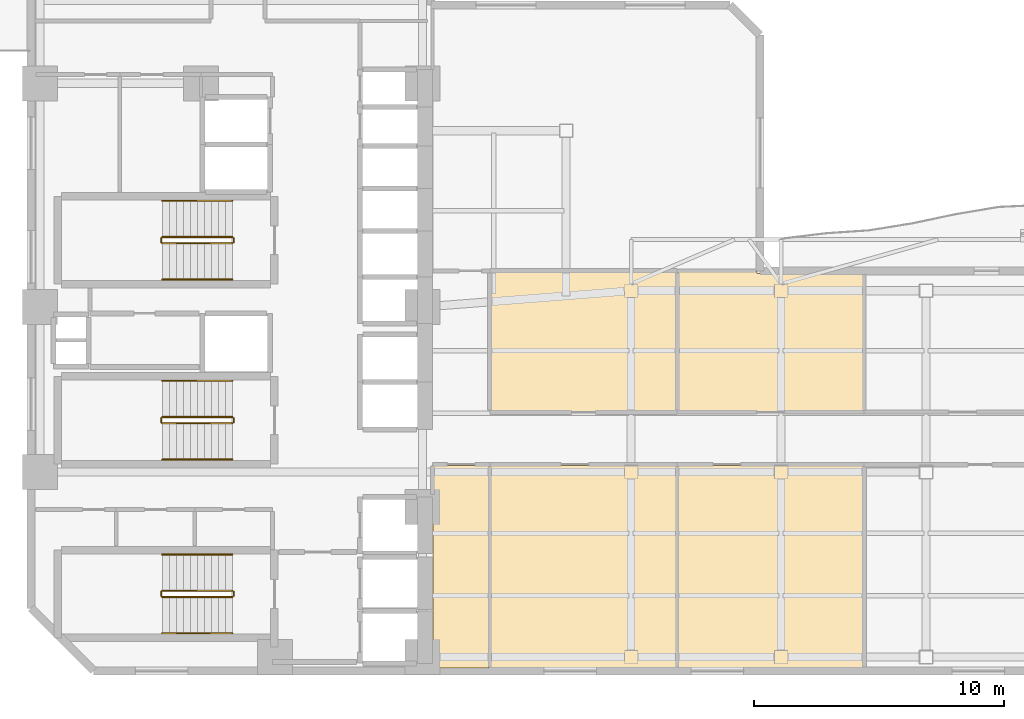
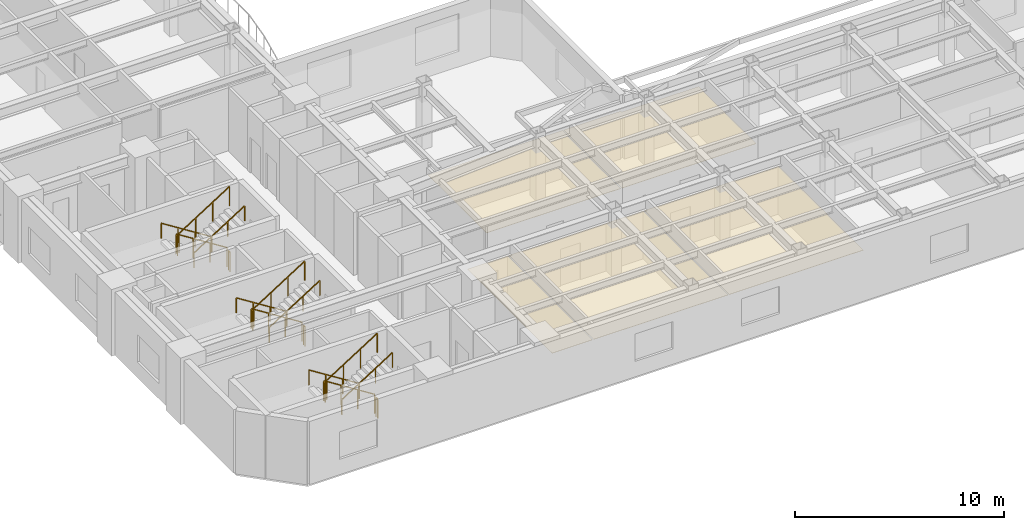
# One storey, part 8 of 10: 18 railings, 5 coverings.
"""IFC4 building model written with IfcOpenShell, lengths in metres."""

from ifc_helpers import new_model, si_unit, direction, frame, origin, origin_2d, place, context, subcontext, project, spatial, polyline, rectangle, outline, extrude, material, layer, layer_set, type_object, element, save


model = new_model("IFC4")

# Units and contexts
model_context = context("Model", 3, precision=1e-05, world=origin(), true_north=direction((0.0, 1.0)))
body_context = subcontext(model_context, "Body", "Model", "MODEL_VIEW")
ifc_project = project(units=[si_unit("LENGTHUNIT", "METRE"), si_unit("AREAUNIT", "SQUARE_METRE"), si_unit("VOLUMEUNIT", "CUBIC_METRE"), si_unit("PLANEANGLEUNIT", "RADIAN"), si_unit("MASSUNIT", "GRAM", prefix="KILO")], contexts=[model_context])

# Site, building, storey
site_placement = place(None, origin())
site = spatial("IfcSite", under=ifc_project, at=site_placement, CompositionType="ELEMENT")
building_placement = place(site_placement, origin())
building = spatial("IfcBuilding", under=site, at=building_placement, Name="Mawjaban Terraces University", CompositionType="ELEMENT")
storey_placement = place(building_placement, frame((0.0, 0.0, 66.10009765625)))
storey = spatial("IfcBuildingStorey", under=building, at=storey_placement, Name="L15", CompositionType="ELEMENT", Elevation=66.10009765625)

# Coverings
ifc_material_1 = material(Name="Acoustic mineral fibre ceiling tile", Category="masonry")
ifc_layer = layer(ifc_material_1, 0.02001953125)
ifc_layer_set = layer_set([ifc_layer], Name="Acoustic mineral fibre ceiling tile")
covering_type = type_object("IfcCoveringType", Name="AcousticMineralCeiling_20", PredefinedType="CEILING", material=ifc_layer_set)
covering_1_placement = place(storey_placement, frame((0.0, 0.0, 2.75)))
element("IfcCovering", 1, at=covering_1_placement, inside=storey, type_object=covering_type, Name="L15 Computational Laboratory 1 Acoustic Ceiling", PredefinedType="CEILING", context=body_context, shape_type="SweptSolid", body=[
    extrude(outline(polyline([(38.080078125, 0.114990234375), (40.320068359375, 0.114990234375), (40.320068359375, 8.219970703125), (38.080078125, 8.219970703125), (38.080078125, 0.114990234375)])), origin(), (0.0, 0.0, 1.0), 0.02001953125),
])
covering_2_placement = place(storey_placement, frame((0.0, 0.0, 2.75)))
element("IfcCovering", 2, at=covering_2_placement, inside=storey, type_object=covering_type, Name="L15 Teaching Laboratory 2 Acoustic Ceiling", PredefinedType="CEILING", context=body_context, shape_type="SweptSolid", body=[
    extrude(outline(polyline([(40.3798828125, 0.114990234375), (47.806884765625, 0.114990234375), (47.806884765625, 8.219970703125), (40.3798828125, 8.219970703125), (40.3798828125, 0.114990234375)])), origin(), (0.0, 0.0, 1.0), 0.02001953125),
])
covering_3_placement = place(storey_placement, frame((0.0, 0.0, 2.75)))
element("IfcCovering", 3, at=covering_3_placement, inside=storey, type_object=covering_type, Name="L15 Design Studio 3 Acoustic Ceiling", PredefinedType="CEILING", context=body_context, shape_type="SweptSolid", body=[
    extrude(outline(polyline([(47.806884765625, 10.3798828125), (47.806884765625, 15.969970703125), (40.3798828125, 15.969970703125), (40.3798828125, 10.3798828125), (47.806884765625, 10.3798828125)])), origin(), (0.0, 0.0, 1.0), 0.02001953125),
])
covering_4_placement = place(storey_placement, frame((0.0, 0.0, 2.75)))
element("IfcCovering", 4, at=covering_4_placement, inside=storey, type_object=covering_type, Name="L15 Computational Laboratory 4 Acoustic Ceiling", PredefinedType="CEILING", context=body_context, shape_type="SweptSolid", body=[
    extrude(outline(polyline([(47.866943359375, 0.114990234375), (55.29296875, 0.114990234375), (55.29296875, 8.219970703125), (47.866943359375, 8.219970703125), (47.866943359375, 0.114990234375)])), origin(), (0.0, 0.0, 1.0), 0.02001953125),
])
covering_5_placement = place(storey_placement, frame((0.0, 0.0, 2.75)))
element("IfcCovering", 5, at=covering_5_placement, inside=storey, type_object=covering_type, Name="L15 Teaching Laboratory 5 Acoustic Ceiling", PredefinedType="CEILING", context=body_context, shape_type="SweptSolid", body=[
    extrude(outline(polyline([(55.29296875, 15.885009765625), (51.034912109375, 15.885009765625), (51.034912109375, 15.969970703125), (47.866943359375, 15.969970703125), (47.866943359375, 10.3798828125), (55.29296875, 10.3798828125), (55.29296875, 15.885009765625)])), origin(), (0.0, 0.0, 1.0), 0.02001953125),
])

# Railings
ifc_material_2 = material(Name="Brushed stainless steel 316", Category="steel")
railing_type_1 = type_object("IfcRailingType", Name="StairWallHandrail_900", PredefinedType="HANDRAIL", material=ifc_material_2)
railing_1_placement = place(storey_placement, frame((30.050048828125, 4.64990234375, 0.17724609375)))
element("IfcRailing", 6, at=railing_1_placement, inside=storey, type_object=railing_type_1, Name="L15 ST-1 stair handrail 1", PredefinedType="HANDRAIL", context=body_context, shape_type="SweptSolid", body=[
    extrude(rectangle(XDim=0.048095703125, YDim=0.048095703125, at=origin_2d()), frame((0.0, 0.0, 0.8759765625), z_axis=(-0.844908973607, 0.0, 0.534910110503), x_axis=(0.0, -1.0, 0.0)), (0.0, 0.0, 1.0), 3.31396484375),
    extrude(rectangle(XDim=0.0419921875, YDim=0.0419921875, at=origin_2d()), origin(), (0.0, 0.0, 1.0), 0.851806640625),
    extrude(rectangle(XDim=0.0419921875, YDim=0.0419921875, at=origin_2d()), frame((-0.933349609375, 0.0, 0.5908203125)), (0.0, 0.0, 1.0), 0.851806640625),
    extrude(rectangle(XDim=0.0419921875, YDim=0.0419921875, at=origin_2d()), frame((-1.86669921875, 0.0, 1.181884765625)), (0.0, 0.0, 1.0), 0.851806640625),
    extrude(rectangle(XDim=0.0419921875, YDim=0.0419921875, at=origin_2d()), frame((-2.800048828125, 0.0, 1.772705078125)), (0.0, 0.0, 1.0), 0.851806640625),
])
railing_2_placement = place(storey_placement, frame((27.25, 1.5, 2.127197265625)))
element("IfcRailing", 7, at=railing_2_placement, inside=storey, type_object=railing_type_1, Name="L15 ST-1 stair handrail 2", PredefinedType="HANDRAIL", context=body_context, shape_type="SweptSolid", body=[
    extrude(rectangle(XDim=0.048095703125, YDim=0.048095703125, at=origin_2d()), frame((0.0, 0.0, 0.8759765625), z_axis=(0.844908973607, 0.0, 0.534910110503), x_axis=(0.0, 1.0, 0.0)), (0.0, 0.0, 1.0), 3.31396484375),
    extrude(rectangle(XDim=0.0419921875, YDim=0.0419921875, at=origin_2d()), origin(), (0.0, 0.0, 1.0), 0.851806640625),
    extrude(rectangle(XDim=0.0419921875, YDim=0.0419921875, at=origin_2d()), frame((0.933349609375, 0.0, 0.5908203125)), (0.0, 0.0, 1.0), 0.851806640625),
    extrude(rectangle(XDim=0.0419921875, YDim=0.0419921875, at=origin_2d()), frame((1.86669921875, 0.0, 1.181884765625)), (0.0, 0.0, 1.0), 0.851806640625),
    extrude(rectangle(XDim=0.0419921875, YDim=0.0419921875, at=origin_2d()), frame((2.800048828125, 0.0, 1.772705078125)), (0.0, 0.0, 1.0), 0.851806640625),
])
railing_3_placement = place(storey_placement, frame((30.050048828125, 18.800048828125, 0.17724609375)))
element("IfcRailing", 8, at=railing_3_placement, inside=storey, type_object=railing_type_1, Name="L15 ST-2 stair handrail 1", PredefinedType="HANDRAIL", context=body_context, shape_type="SweptSolid", body=[
    extrude(rectangle(XDim=0.048095703125, YDim=0.048095703125, at=origin_2d()), frame((0.0, 0.0, 0.8759765625), z_axis=(-0.844908973607, 0.0, 0.534910110503), x_axis=(0.0, -1.0, 0.0)), (0.0, 0.0, 1.0), 3.31396484375),
    extrude(rectangle(XDim=0.0419921875, YDim=0.0419921875, at=origin_2d()), origin(), (0.0, 0.0, 1.0), 0.851806640625),
    extrude(rectangle(XDim=0.0419921875, YDim=0.0419921875, at=origin_2d()), frame((-0.933349609375, 0.0, 0.5908203125)), (0.0, 0.0, 1.0), 0.851806640625),
    extrude(rectangle(XDim=0.0419921875, YDim=0.0419921875, at=origin_2d()), frame((-1.86669921875, 0.0, 1.181884765625)), (0.0, 0.0, 1.0), 0.851806640625),
    extrude(rectangle(XDim=0.0419921875, YDim=0.0419921875, at=origin_2d()), frame((-2.800048828125, 0.0, 1.772705078125)), (0.0, 0.0, 1.0), 0.851806640625),
])
railing_4_placement = place(storey_placement, frame((27.25, 15.64990234375, 2.127197265625)))
element("IfcRailing", 9, at=railing_4_placement, inside=storey, type_object=railing_type_1, Name="L15 ST-2 stair handrail 2", PredefinedType="HANDRAIL", context=body_context, shape_type="SweptSolid", body=[
    extrude(rectangle(XDim=0.048095703125, YDim=0.048095703125, at=origin_2d()), frame((0.0, 0.0, 0.8759765625), z_axis=(0.844908973607, 0.0, 0.534910110503), x_axis=(0.0, 1.0, 0.0)), (0.0, 0.0, 1.0), 3.31396484375),
    extrude(rectangle(XDim=0.0419921875, YDim=0.0419921875, at=origin_2d()), origin(), (0.0, 0.0, 1.0), 0.851806640625),
    extrude(rectangle(XDim=0.0419921875, YDim=0.0419921875, at=origin_2d()), frame((0.933349609375, 0.0, 0.5908203125)), (0.0, 0.0, 1.0), 0.851806640625),
    extrude(rectangle(XDim=0.0419921875, YDim=0.0419921875, at=origin_2d()), frame((1.86669921875, 0.0, 1.181884765625)), (0.0, 0.0, 1.0), 0.851806640625),
    extrude(rectangle(XDim=0.0419921875, YDim=0.0419921875, at=origin_2d()), frame((2.800048828125, 0.0, 1.772705078125)), (0.0, 0.0, 1.0), 0.851806640625),
])
railing_5_placement = place(storey_placement, frame((30.050048828125, 11.60009765625, 0.17724609375)))
element("IfcRailing", 10, at=railing_5_placement, inside=storey, type_object=railing_type_1, Name="L15 ST-3 stair handrail 1", PredefinedType="HANDRAIL", context=body_context, shape_type="SweptSolid", body=[
    extrude(rectangle(XDim=0.048095703125, YDim=0.048095703125, at=origin_2d()), frame((0.0, 0.0, 0.8759765625), z_axis=(-0.844908973607, 0.0, 0.534910110503), x_axis=(0.0, -1.0, 0.0)), (0.0, 0.0, 1.0), 3.31396484375),
    extrude(rectangle(XDim=0.0419921875, YDim=0.0419921875, at=origin_2d()), origin(), (0.0, 0.0, 1.0), 0.851806640625),
    extrude(rectangle(XDim=0.0419921875, YDim=0.0419921875, at=origin_2d()), frame((-0.933349609375, 0.0, 0.5908203125)), (0.0, 0.0, 1.0), 0.851806640625),
    extrude(rectangle(XDim=0.0419921875, YDim=0.0419921875, at=origin_2d()), frame((-1.86669921875, 0.0, 1.181884765625)), (0.0, 0.0, 1.0), 0.851806640625),
    extrude(rectangle(XDim=0.0419921875, YDim=0.0419921875, at=origin_2d()), frame((-2.800048828125, 0.0, 1.772705078125)), (0.0, 0.0, 1.0), 0.851806640625),
])
railing_6_placement = place(storey_placement, frame((27.25, 8.449951171875, 2.127197265625)))
element("IfcRailing", 11, at=railing_6_placement, inside=storey, type_object=railing_type_1, Name="L15 ST-3 stair handrail 2", PredefinedType="HANDRAIL", context=body_context, shape_type="SweptSolid", body=[
    extrude(rectangle(XDim=0.048095703125, YDim=0.048095703125, at=origin_2d()), frame((0.0, 0.0, 0.8759765625), z_axis=(0.844908973607, 0.0, 0.534910110503), x_axis=(0.0, 1.0, 0.0)), (0.0, 0.0, 1.0), 3.31396484375),
    extrude(rectangle(XDim=0.0419921875, YDim=0.0419921875, at=origin_2d()), origin(), (0.0, 0.0, 1.0), 0.851806640625),
    extrude(rectangle(XDim=0.0419921875, YDim=0.0419921875, at=origin_2d()), frame((0.933349609375, 0.0, 0.5908203125)), (0.0, 0.0, 1.0), 0.851806640625),
    extrude(rectangle(XDim=0.0419921875, YDim=0.0419921875, at=origin_2d()), frame((1.86669921875, 0.0, 1.181884765625)), (0.0, 0.0, 1.0), 0.851806640625),
    extrude(rectangle(XDim=0.0419921875, YDim=0.0419921875, at=origin_2d()), frame((2.800048828125, 0.0, 1.772705078125)), (0.0, 0.0, 1.0), 0.851806640625),
])
ifc_material_3 = material(Name="Galvanised painted steel S355", Category="steel")
railing_type_2 = type_object("IfcRailingType", Name="StairWellGuard_1150", PredefinedType="BALUSTRADE", material=ifc_material_3)
railing_7_placement = place(storey_placement, frame((30.050048828125, 3.199951171875, 0.17724609375)))
element("IfcRailing", 12, at=railing_7_placement, inside=storey, type_object=railing_type_2, Name="L15 ST-1 stair guard 1", PredefinedType="BALUSTRADE", context=body_context, shape_type="SweptSolid", body=[
    extrude(rectangle(XDim=0.048095703125, YDim=0.048095703125, at=origin_2d()), frame((0.0, 0.0, 1.1259765625), z_axis=(-0.844908973607, 0.0, 0.534910110503), x_axis=(0.0, -1.0, 0.0)), (0.0, 0.0, 1.0), 3.31396484375),
    extrude(rectangle(XDim=0.0419921875, YDim=0.0419921875, at=origin_2d()), origin(), (0.0, 0.0, 1.0), 1.101806640625),
    extrude(rectangle(XDim=0.0419921875, YDim=0.0419921875, at=origin_2d()), frame((-0.933349609375, 0.0, 0.5908203125)), (0.0, 0.0, 1.0), 1.101806640625),
    extrude(rectangle(XDim=0.0419921875, YDim=0.0419921875, at=origin_2d()), frame((-1.86669921875, 0.0, 1.181884765625)), (0.0, 0.0, 1.0), 1.101806640625),
    extrude(rectangle(XDim=0.0419921875, YDim=0.0419921875, at=origin_2d()), frame((-2.800048828125, 0.0, 1.772705078125)), (0.0, 0.0, 1.0), 1.101806640625),
])
railing_8_placement = place(storey_placement, frame((27.199951171875, 3.14990234375, 1.949951171875)))
element("IfcRailing", 13, at=railing_8_placement, inside=storey, type_object=railing_type_2, Name="L15 ST-1 stair guard 2", PredefinedType="BALUSTRADE", context=body_context, shape_type="SweptSolid", body=[
    extrude(rectangle(XDim=0.048095703125, YDim=0.048095703125, at=origin_2d()), frame((0.0, 0.0, 1.1259765625), z_axis=(0.0, -1.0, 0.0), x_axis=(1.0, 0.0, 0.0)), (0.0, 0.0, 1.0), 0.14990234375),
    extrude(rectangle(XDim=0.0419921875, YDim=0.0419921875, at=origin_2d()), origin(), (0.0, 0.0, 1.0), 1.101806640625),
    extrude(rectangle(XDim=0.0419921875, YDim=0.0419921875, at=origin_2d()), frame((0.0, -0.14990234375, 0.0)), (0.0, 0.0, 1.0), 1.101806640625),
])
railing_9_placement = place(storey_placement, frame((27.25, 2.949951171875, 2.127197265625)))
element("IfcRailing", 14, at=railing_9_placement, inside=storey, type_object=railing_type_2, Name="L15 ST-1 stair guard 3", PredefinedType="BALUSTRADE", context=body_context, shape_type="SweptSolid", body=[
    extrude(rectangle(XDim=0.048095703125, YDim=0.048095703125, at=origin_2d()), frame((0.0, 0.0, 1.1259765625), z_axis=(0.844908973607, 0.0, 0.534910110503), x_axis=(0.0, 1.0, 0.0)), (0.0, 0.0, 1.0), 3.31396484375),
    extrude(rectangle(XDim=0.0419921875, YDim=0.0419921875, at=origin_2d()), origin(), (0.0, 0.0, 1.0), 1.101806640625),
    extrude(rectangle(XDim=0.0419921875, YDim=0.0419921875, at=origin_2d()), frame((0.933349609375, 0.0, 0.5908203125)), (0.0, 0.0, 1.0), 1.101806640625),
    extrude(rectangle(XDim=0.0419921875, YDim=0.0419921875, at=origin_2d()), frame((1.86669921875, 0.0, 1.181884765625)), (0.0, 0.0, 1.0), 1.101806640625),
    extrude(rectangle(XDim=0.0419921875, YDim=0.0419921875, at=origin_2d()), frame((2.800048828125, 0.0, 1.772705078125)), (0.0, 0.0, 1.0), 1.101806640625),
])
railing_10_placement = place(storey_placement, frame((30.10009765625, 3.14990234375, 0.0)))
element("IfcRailing", 15, at=railing_10_placement, inside=storey, type_object=railing_type_2, Name="L15 ST-1 stair guard 4", PredefinedType="BALUSTRADE", context=body_context, shape_type="SweptSolid", body=[
    extrude(rectangle(XDim=0.048095703125, YDim=0.048095703125, at=origin_2d()), frame((0.0, 0.0, 1.1259765625), z_axis=(0.0, -1.0, 0.0), x_axis=(1.0, 0.0, 0.0)), (0.0, 0.0, 1.0), 0.14990234375),
    extrude(rectangle(XDim=0.0419921875, YDim=0.0419921875, at=origin_2d()), origin(), (0.0, 0.0, 1.0), 1.101806640625),
    extrude(rectangle(XDim=0.0419921875, YDim=0.0419921875, at=origin_2d()), frame((0.0, -0.14990234375, 0.0)), (0.0, 0.0, 1.0), 1.101806640625),
])
railing_11_placement = place(storey_placement, frame((30.050048828125, 17.35009765625, 0.17724609375)))
element("IfcRailing", 16, at=railing_11_placement, inside=storey, type_object=railing_type_2, Name="L15 ST-2 stair guard 1", PredefinedType="BALUSTRADE", context=body_context, shape_type="SweptSolid", body=[
    extrude(rectangle(XDim=0.048095703125, YDim=0.048095703125, at=origin_2d()), frame((0.0, 0.0, 1.1259765625), z_axis=(-0.844908973607, 0.0, 0.534910110503), x_axis=(0.0, -1.0, 0.0)), (0.0, 0.0, 1.0), 3.31396484375),
    extrude(rectangle(XDim=0.0419921875, YDim=0.0419921875, at=origin_2d()), origin(), (0.0, 0.0, 1.0), 1.101806640625),
    extrude(rectangle(XDim=0.0419921875, YDim=0.0419921875, at=origin_2d()), frame((-0.933349609375, 0.0, 0.5908203125)), (0.0, 0.0, 1.0), 1.101806640625),
    extrude(rectangle(XDim=0.0419921875, YDim=0.0419921875, at=origin_2d()), frame((-1.86669921875, 0.0, 1.181884765625)), (0.0, 0.0, 1.0), 1.101806640625),
    extrude(rectangle(XDim=0.0419921875, YDim=0.0419921875, at=origin_2d()), frame((-2.800048828125, 0.0, 1.772705078125)), (0.0, 0.0, 1.0), 1.101806640625),
])
railing_12_placement = place(storey_placement, frame((27.199951171875, 17.300048828125, 1.949951171875)))
element("IfcRailing", 17, at=railing_12_placement, inside=storey, type_object=railing_type_2, Name="L15 ST-2 stair guard 2", PredefinedType="BALUSTRADE", context=body_context, shape_type="SweptSolid", body=[
    extrude(rectangle(XDim=0.048095703125, YDim=0.048095703125, at=origin_2d()), frame((0.0, 0.0, 1.1259765625), z_axis=(0.0, -1.0, 0.0), x_axis=(1.0, 0.0, 0.0)), (0.0, 0.0, 1.0), 0.150146484375),
    extrude(rectangle(XDim=0.0419921875, YDim=0.0419921875, at=origin_2d()), origin(), (0.0, 0.0, 1.0), 1.101806640625),
    extrude(rectangle(XDim=0.0419921875, YDim=0.0419921875, at=origin_2d()), frame((0.0, -0.150146484375, 0.0)), (0.0, 0.0, 1.0), 1.101806640625),
])
railing_13_placement = place(storey_placement, frame((27.25, 17.10009765625, 2.127197265625)))
element("IfcRailing", 18, at=railing_13_placement, inside=storey, type_object=railing_type_2, Name="L15 ST-2 stair guard 3", PredefinedType="BALUSTRADE", context=body_context, shape_type="SweptSolid", body=[
    extrude(rectangle(XDim=0.048095703125, YDim=0.048095703125, at=origin_2d()), frame((0.0, 0.0, 1.1259765625), z_axis=(0.844908973607, 0.0, 0.534910110503), x_axis=(0.0, 1.0, 0.0)), (0.0, 0.0, 1.0), 3.31396484375),
    extrude(rectangle(XDim=0.0419921875, YDim=0.0419921875, at=origin_2d()), origin(), (0.0, 0.0, 1.0), 1.101806640625),
    extrude(rectangle(XDim=0.0419921875, YDim=0.0419921875, at=origin_2d()), frame((0.933349609375, 0.0, 0.5908203125)), (0.0, 0.0, 1.0), 1.101806640625),
    extrude(rectangle(XDim=0.0419921875, YDim=0.0419921875, at=origin_2d()), frame((1.86669921875, 0.0, 1.181884765625)), (0.0, 0.0, 1.0), 1.101806640625),
    extrude(rectangle(XDim=0.0419921875, YDim=0.0419921875, at=origin_2d()), frame((2.800048828125, 0.0, 1.772705078125)), (0.0, 0.0, 1.0), 1.101806640625),
])
railing_14_placement = place(storey_placement, frame((30.10009765625, 17.300048828125, 0.0)))
element("IfcRailing", 19, at=railing_14_placement, inside=storey, type_object=railing_type_2, Name="L15 ST-2 stair guard 4", PredefinedType="BALUSTRADE", context=body_context, shape_type="SweptSolid", body=[
    extrude(rectangle(XDim=0.048095703125, YDim=0.048095703125, at=origin_2d()), frame((0.0, 0.0, 1.1259765625), z_axis=(0.0, -1.0, 0.0), x_axis=(1.0, 0.0, 0.0)), (0.0, 0.0, 1.0), 0.150146484375),
    extrude(rectangle(XDim=0.0419921875, YDim=0.0419921875, at=origin_2d()), origin(), (0.0, 0.0, 1.0), 1.101806640625),
    extrude(rectangle(XDim=0.0419921875, YDim=0.0419921875, at=origin_2d()), frame((0.0, -0.150146484375, 0.0)), (0.0, 0.0, 1.0), 1.101806640625),
])
railing_15_placement = place(storey_placement, frame((30.050048828125, 10.14990234375, 0.17724609375)))
element("IfcRailing", 20, at=railing_15_placement, inside=storey, type_object=railing_type_2, Name="L15 ST-3 stair guard 1", PredefinedType="BALUSTRADE", context=body_context, shape_type="SweptSolid", body=[
    extrude(rectangle(XDim=0.048095703125, YDim=0.048095703125, at=origin_2d()), frame((0.0, 0.0, 1.1259765625), z_axis=(-0.844908973607, 0.0, 0.534910110503), x_axis=(0.0, -1.0, 0.0)), (0.0, 0.0, 1.0), 3.31396484375),
    extrude(rectangle(XDim=0.0419921875, YDim=0.0419921875, at=origin_2d()), origin(), (0.0, 0.0, 1.0), 1.101806640625),
    extrude(rectangle(XDim=0.0419921875, YDim=0.0419921875, at=origin_2d()), frame((-0.933349609375, 0.0, 0.5908203125)), (0.0, 0.0, 1.0), 1.101806640625),
    extrude(rectangle(XDim=0.0419921875, YDim=0.0419921875, at=origin_2d()), frame((-1.86669921875, 0.0, 1.181884765625)), (0.0, 0.0, 1.0), 1.101806640625),
    extrude(rectangle(XDim=0.0419921875, YDim=0.0419921875, at=origin_2d()), frame((-2.800048828125, 0.0, 1.772705078125)), (0.0, 0.0, 1.0), 1.101806640625),
])
railing_16_placement = place(storey_placement, frame((27.199951171875, 10.10009765625, 1.949951171875)))
element("IfcRailing", 21, at=railing_16_placement, inside=storey, type_object=railing_type_2, Name="L15 ST-3 stair guard 2", PredefinedType="BALUSTRADE", context=body_context, shape_type="SweptSolid", body=[
    extrude(rectangle(XDim=0.048095703125, YDim=0.048095703125, at=origin_2d()), frame((0.0, 0.0, 1.1259765625), z_axis=(0.0, -1.0, 0.0), x_axis=(1.0, 0.0, 0.0)), (0.0, 0.0, 1.0), 0.150146484375),
    extrude(rectangle(XDim=0.0419921875, YDim=0.0419921875, at=origin_2d()), origin(), (0.0, 0.0, 1.0), 1.101806640625),
    extrude(rectangle(XDim=0.0419921875, YDim=0.0419921875, at=origin_2d()), frame((0.0, -0.150146484375, 0.0)), (0.0, 0.0, 1.0), 1.101806640625),
])
railing_17_placement = place(storey_placement, frame((27.25, 9.89990234375, 2.127197265625)))
element("IfcRailing", 22, at=railing_17_placement, inside=storey, type_object=railing_type_2, Name="L15 ST-3 stair guard 3", PredefinedType="BALUSTRADE", context=body_context, shape_type="SweptSolid", body=[
    extrude(rectangle(XDim=0.048095703125, YDim=0.048095703125, at=origin_2d()), frame((0.0, 0.0, 1.1259765625), z_axis=(0.844908973607, 0.0, 0.534910110503), x_axis=(0.0, 1.0, 0.0)), (0.0, 0.0, 1.0), 3.31396484375),
    extrude(rectangle(XDim=0.0419921875, YDim=0.0419921875, at=origin_2d()), origin(), (0.0, 0.0, 1.0), 1.101806640625),
    extrude(rectangle(XDim=0.0419921875, YDim=0.0419921875, at=origin_2d()), frame((0.933349609375, 0.0, 0.5908203125)), (0.0, 0.0, 1.0), 1.101806640625),
    extrude(rectangle(XDim=0.0419921875, YDim=0.0419921875, at=origin_2d()), frame((1.86669921875, 0.0, 1.181884765625)), (0.0, 0.0, 1.0), 1.101806640625),
    extrude(rectangle(XDim=0.0419921875, YDim=0.0419921875, at=origin_2d()), frame((2.800048828125, 0.0, 1.772705078125)), (0.0, 0.0, 1.0), 1.101806640625),
])
railing_18_placement = place(storey_placement, frame((30.10009765625, 10.10009765625, 0.0)))
element("IfcRailing", 23, at=railing_18_placement, inside=storey, type_object=railing_type_2, Name="L15 ST-3 stair guard 4", PredefinedType="BALUSTRADE", context=body_context, shape_type="SweptSolid", body=[
    extrude(rectangle(XDim=0.048095703125, YDim=0.048095703125, at=origin_2d()), frame((0.0, 0.0, 1.1259765625), z_axis=(0.0, -1.0, 0.0), x_axis=(1.0, 0.0, 0.0)), (0.0, 0.0, 1.0), 0.150146484375),
    extrude(rectangle(XDim=0.0419921875, YDim=0.0419921875, at=origin_2d()), origin(), (0.0, 0.0, 1.0), 1.101806640625),
    extrude(rectangle(XDim=0.0419921875, YDim=0.0419921875, at=origin_2d()), frame((0.0, -0.150146484375, 0.0)), (0.0, 0.0, 1.0), 1.101806640625),
])

save(model, "model.ifc")
